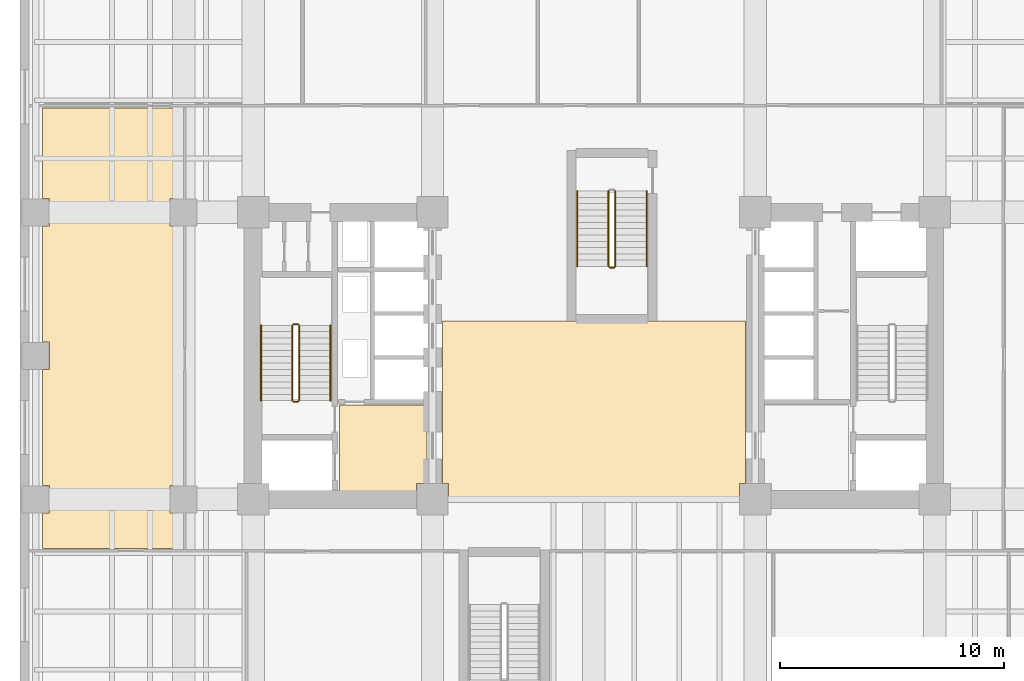
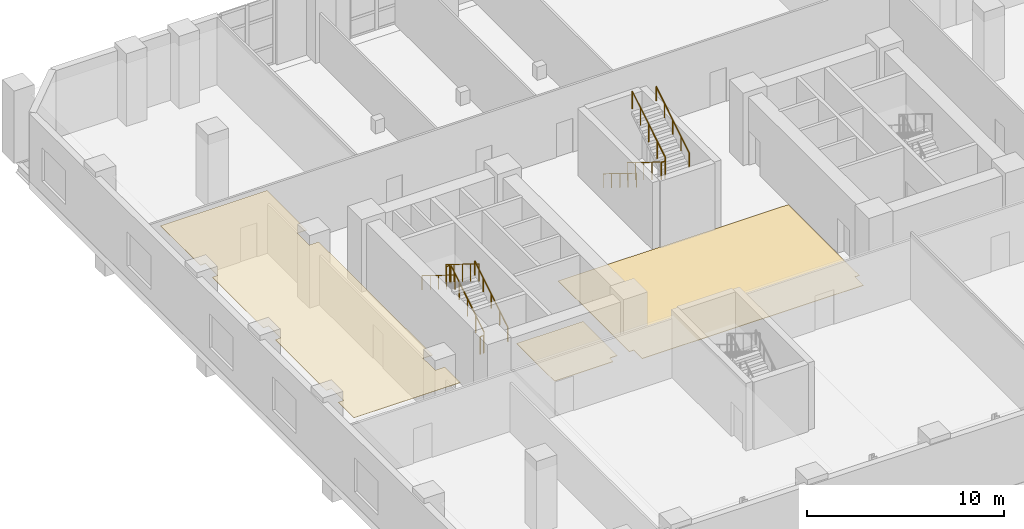
# One storey, part 11 of 15: 11 railings, 3 coverings.
"""IFC4 building model written with IfcOpenShell, lengths in metres."""

from ifc_helpers import new_model, si_unit, direction, frame, origin, origin_2d, place, context, subcontext, project, spatial, polyline, circle, outline, extrude, material, layer, layer_set, type_object, element, save


model = new_model("IFC4")

# Units and contexts
model_context = context("Model", 3, precision=1e-05, world=origin(), true_north=direction((0.0, 1.0)))
body_context = subcontext(model_context, "Body", "Model", "MODEL_VIEW")
ifc_project = project(units=[si_unit("LENGTHUNIT", "METRE"), si_unit("AREAUNIT", "SQUARE_METRE"), si_unit("VOLUMEUNIT", "CUBIC_METRE"), si_unit("PLANEANGLEUNIT", "RADIAN"), si_unit("MASSUNIT", "GRAM", prefix="KILO")], contexts=[model_context])

# Site, building, storey
site_placement = place(None, origin())
site = spatial("IfcSite", under=ifc_project, at=site_placement, CompositionType="ELEMENT")
building_placement = place(site_placement, origin())
building = spatial("IfcBuilding", under=site, at=building_placement, Name="Kranthara Brick Stack", CompositionType="ELEMENT")
storey_placement = place(building_placement, frame((0.0, 0.0, 5.39990234375)))
storey = spatial("IfcBuildingStorey", under=building, at=storey_placement, Name="L01", CompositionType="ELEMENT", Elevation=5.39990234375)

# Coverings
ifc_material_1 = material(Name="Perforated mineral-fibre acoustic ceiling tile", Category="other")
ifc_layer_1 = layer(ifc_material_1, 0.02490234375)
ifc_layer_set_1 = layer_set([ifc_layer_1], Name="Perforated mineral-fibre acoustic ceiling tile")
covering_type_1 = type_object("IfcCoveringType", Name="COV-CEIL-ACOUSTIC", PredefinedType="CEILING", material=ifc_layer_set_1)
covering_1_placement = place(storey_placement, frame((0.0, 0.0, 3.91015625)))
element("IfcCovering", 1, at=covering_1_placement, inside=storey, type_object=covering_type_1, Name="L01 West Perimeter Office Studio Acoustic Ceiling", PredefinedType="CEILING", context=body_context, shape_type="SweptSolid", body=[
    extrude(outline(polyline([(3.39990234375, 20.18994140625), (3.7099609375, 20.18994140625), (3.7099609375, 21.409912109375), (3.39990234375, 21.409912109375), (3.39990234375, 26.590087890625), (3.7099609375, 26.590087890625), (3.7099609375, 27.81005859375), (3.39990234375, 27.81005859375), (3.39990234375, 32.989990234375), (3.7099609375, 32.989990234375), (3.7099609375, 34.2099609375), (3.39990234375, 34.2099609375), (3.39990234375, 38.25), (9.64990234375, 38.25), (9.64990234375, 34.2099609375), (9.090087890625, 34.2099609375), (9.090087890625, 32.989990234375), (9.64990234375, 32.989990234375), (9.64990234375, 21.409912109375), (9.090087890625, 21.409912109375), (9.090087890625, 20.18994140625), (9.64990234375, 20.18994140625), (9.64990234375, 18.60009765625), (3.39990234375, 18.60009765625), (3.39990234375, 20.18994140625)])), origin(), (0.0, 0.0, 1.0), 0.02490234375),
])
ifc_material_2 = material(Name="Honed terrazzo and porcelain floor finish", Category="stone")
ifc_layer_2 = layer(ifc_material_2, 0.030029296875)
ifc_layer_set_2 = layer_set([ifc_layer_2], Name="Honed terrazzo and porcelain floor finish")
covering_type_2 = type_object("IfcCoveringType", Name="COV-FLOR-STONE", PredefinedType="FLOORING", material=ifc_layer_set_2)
covering_2_placement = place(storey_placement, origin())
element("IfcCovering", 2, at=covering_2_placement, inside=storey, type_object=covering_type_2, Name="L01 Lift Lobby Stone Flooring", PredefinedType="FLOORING", context=body_context, shape_type="SweptSolid", body=[
    extrude(outline(polyline([(16.64990234375, 21.14990234375), (16.64990234375, 25.0), (20.550048828125, 25.0), (20.550048828125, 21.510009765625), (20.090087890625, 21.510009765625), (20.090087890625, 21.14990234375), (16.64990234375, 21.14990234375)])), origin(), (0.0, 0.0, 1.0), 0.030029296875),
])
covering_3_placement = place(storey_placement, origin())
element("IfcCovering", 3, at=covering_3_placement, inside=storey, type_object=covering_type_2, Name="L01 Lift Lobby Stone Flooring", PredefinedType="FLOORING", context=body_context, shape_type="SweptSolid", body=[
    extrude(outline(polyline([(34.75, 21.510009765625), (34.489990234375, 21.510009765625), (34.489990234375, 20.64990234375), (21.510009765625, 20.64990234375), (21.510009765625, 21.510009765625), (21.25, 21.510009765625), (21.25, 28.75), (34.75, 28.75), (34.75, 21.510009765625)])), origin(), (0.0, 0.0, 1.0), 0.030029296875),
])

# Railings
ifc_material_3 = material(Name="Painted galvanized steel stair guardrail", Category="steel")
railing_type_1 = type_object("IfcRailingType", Name="RL-STAIR-GUARD-1100", PredefinedType="GUARDRAIL", material=ifc_material_3)
railing_1_placement = place(storey_placement, frame((14.85009765625, 25.199951171875, 0.173095703125)))
element("IfcRailing", 4, at=railing_1_placement, inside=storey, type_object=railing_type_1, Name="L01 ST01 stair guard 1", PredefinedType="GUARDRAIL", context=body_context, shape_type="SweptSolid", body=[
    extrude(circle(Radius=0.02392578125, at=origin_2d()), frame((0.0, 0.0, 1.076171875), z_axis=(0.0, 0.850623216509, 0.525775754039), x_axis=(-1.0, 0.0, 0.0)), (0.0, 0.0, 1.0), 3.9501953125),
    extrude(circle(Radius=0.02099609375, at=origin_2d()), origin(), (0.0, 0.0, 1.0), 1.052001953125),
    extrude(circle(Radius=0.02099609375, at=origin_2d()), frame((0.0, 0.840087890625, 0.519287109375)), (0.0, 0.0, 1.0), 1.052001953125),
    extrude(circle(Radius=0.02099609375, at=origin_2d()), frame((0.0, 1.68017578125, 1.03857421875)), (0.0, 0.0, 1.0), 1.052001953125),
    extrude(circle(Radius=0.02099609375, at=origin_2d()), frame((0.0, 2.52001953125, 1.5576171875)), (0.0, 0.0, 1.0), 1.052001953125),
    extrude(circle(Radius=0.02099609375, at=origin_2d()), frame((0.0, 3.360107421875, 2.076904296875)), (0.0, 0.0, 1.0), 1.052001953125),
])
railing_2_placement = place(storey_placement, frame((14.800048828125, 28.610107421875, 2.25)))
element("IfcRailing", 5, at=railing_2_placement, inside=storey, type_object=railing_type_1, Name="L01 ST01 stair guard 2", PredefinedType="GUARDRAIL", context=body_context, shape_type="SweptSolid", body=[
    extrude(circle(Radius=0.02392578125, at=origin_2d()), frame((0.0, 0.0, 1.076171875), z_axis=(-1.0, 0.0, 0.0), x_axis=(0.0, -1.0, 0.0)), (0.0, 0.0, 1.0), 0.199951171875),
    extrude(circle(Radius=0.02099609375, at=origin_2d()), origin(), (0.0, 0.0, 1.0), 1.052001953125),
    extrude(circle(Radius=0.02099609375, at=origin_2d()), frame((-0.199951171875, 0.0, 0.0)), (0.0, 0.0, 1.0), 1.052001953125),
])
railing_3_placement = place(storey_placement, frame((14.550048828125, 28.56005859375, 2.423095703125)))
element("IfcRailing", 6, at=railing_3_placement, inside=storey, type_object=railing_type_1, Name="L01 ST01 stair guard 3", PredefinedType="GUARDRAIL", context=body_context, shape_type="SweptSolid", body=[
    extrude(circle(Radius=0.02392578125, at=origin_2d()), frame((0.0, 0.0, 1.076171875), z_axis=(0.0, -0.850623216509, 0.525775754039), x_axis=(1.0, 0.0, 0.0)), (0.0, 0.0, 1.0), 3.9501953125),
    extrude(circle(Radius=0.02099609375, at=origin_2d()), origin(), (0.0, 0.0, 1.0), 1.052001953125),
    extrude(circle(Radius=0.02099609375, at=origin_2d()), frame((0.0, -0.840087890625, 0.519287109375)), (0.0, 0.0, 1.0), 1.052001953125),
    extrude(circle(Radius=0.02099609375, at=origin_2d()), frame((0.0, -1.68017578125, 1.03857421875)), (0.0, 0.0, 1.0), 1.052001953125),
    extrude(circle(Radius=0.02099609375, at=origin_2d()), frame((0.0, -2.52001953125, 1.5576171875)), (0.0, 0.0, 1.0), 1.052001953125),
    extrude(circle(Radius=0.02099609375, at=origin_2d()), frame((0.0, -3.360107421875, 2.076904296875)), (0.0, 0.0, 1.0), 1.052001953125),
])
railing_4_placement = place(storey_placement, frame((14.800048828125, 25.14990234375, 0.0)))
element("IfcRailing", 7, at=railing_4_placement, inside=storey, type_object=railing_type_1, Name="L01 ST01 stair guard 4", PredefinedType="GUARDRAIL", context=body_context, shape_type="SweptSolid", body=[
    extrude(circle(Radius=0.02392578125, at=origin_2d()), frame((0.0, 0.0, 1.076171875), z_axis=(-1.0, 0.0, 0.0), x_axis=(0.0, -1.0, 0.0)), (0.0, 0.0, 1.0), 0.199951171875),
    extrude(circle(Radius=0.02099609375, at=origin_2d()), origin(), (0.0, 0.0, 1.0), 1.052001953125),
    extrude(circle(Radius=0.02099609375, at=origin_2d()), frame((-0.199951171875, 0.0, 0.0)), (0.0, 0.0, 1.0), 1.052001953125),
])
railing_5_placement = place(storey_placement, frame((28.64990234375, 34.550048828125, 0.173095703125)))
element("IfcRailing", 8, at=railing_5_placement, inside=storey, type_object=railing_type_1, Name="L01 ST04 stair guard 1", PredefinedType="GUARDRAIL", context=body_context, shape_type="SweptSolid", body=[
    extrude(circle(Radius=0.02392578125, at=origin_2d()), frame((0.0, 0.0, 1.076171875), z_axis=(0.0, -0.850623216509, 0.525775754039), x_axis=(1.0, 0.0, 0.0)), (0.0, 0.0, 1.0), 3.9501953125),
    extrude(circle(Radius=0.02099609375, at=origin_2d()), origin(), (0.0, 0.0, 1.0), 1.052001953125),
    extrude(circle(Radius=0.02099609375, at=origin_2d()), frame((0.0, -0.840087890625, 0.519287109375)), (0.0, 0.0, 1.0), 1.052001953125),
    extrude(circle(Radius=0.02099609375, at=origin_2d()), frame((0.0, -1.68017578125, 1.03857421875)), (0.0, 0.0, 1.0), 1.052001953125),
    extrude(circle(Radius=0.02099609375, at=origin_2d()), frame((0.0, -2.52001953125, 1.5576171875)), (0.0, 0.0, 1.0), 1.052001953125),
    extrude(circle(Radius=0.02099609375, at=origin_2d()), frame((0.0, -3.360107421875, 2.076904296875)), (0.0, 0.0, 1.0), 1.052001953125),
])
railing_6_placement = place(storey_placement, frame((28.699951171875, 31.139892578125, 2.25)))
element("IfcRailing", 9, at=railing_6_placement, inside=storey, type_object=railing_type_1, Name="L01 ST04 stair guard 2", PredefinedType="GUARDRAIL", context=body_context, shape_type="SweptSolid", body=[
    extrude(circle(Radius=0.02392578125, at=origin_2d()), frame((0.0, 0.0, 1.076171875), z_axis=(1.0, 0.0, 0.0), x_axis=(0.0, 1.0, 0.0)), (0.0, 0.0, 1.0), 0.199951171875),
    extrude(circle(Radius=0.02099609375, at=origin_2d()), origin(), (0.0, 0.0, 1.0), 1.052001953125),
    extrude(circle(Radius=0.02099609375, at=origin_2d()), frame((0.199951171875, 0.0, 0.0)), (0.0, 0.0, 1.0), 1.052001953125),
])
railing_7_placement = place(storey_placement, frame((28.949951171875, 31.18994140625, 2.423095703125)))
element("IfcRailing", 10, at=railing_7_placement, inside=storey, type_object=railing_type_1, Name="L01 ST04 stair guard 3", PredefinedType="GUARDRAIL", context=body_context, shape_type="SweptSolid", body=[
    extrude(circle(Radius=0.02392578125, at=origin_2d()), frame((0.0, 0.0, 1.076171875), z_axis=(0.0, 0.850623216509, 0.525775754039), x_axis=(-1.0, 0.0, 0.0)), (0.0, 0.0, 1.0), 3.9501953125),
    extrude(circle(Radius=0.02099609375, at=origin_2d()), origin(), (0.0, 0.0, 1.0), 1.052001953125),
    extrude(circle(Radius=0.02099609375, at=origin_2d()), frame((0.0, 0.840087890625, 0.519287109375)), (0.0, 0.0, 1.0), 1.052001953125),
    extrude(circle(Radius=0.02099609375, at=origin_2d()), frame((0.0, 1.68017578125, 1.03857421875)), (0.0, 0.0, 1.0), 1.052001953125),
    extrude(circle(Radius=0.02099609375, at=origin_2d()), frame((0.0, 2.52001953125, 1.5576171875)), (0.0, 0.0, 1.0), 1.052001953125),
    extrude(circle(Radius=0.02099609375, at=origin_2d()), frame((0.0, 3.360107421875, 2.076904296875)), (0.0, 0.0, 1.0), 1.052001953125),
])
ifc_material_4 = material(Name="Brushed stainless steel tubular handrail", Category="steel")
railing_type_2 = type_object("IfcRailingType", Name="RL-STAIR-HAND-900", PredefinedType="HANDRAIL", material=ifc_material_4)
railing_8_placement = place(storey_placement, frame((16.25, 25.199951171875, 0.173095703125)))
element("IfcRailing", 11, at=railing_8_placement, inside=storey, type_object=railing_type_2, Name="L01 ST01 stair handrail 1", PredefinedType="HANDRAIL", context=body_context, shape_type="SweptSolid", body=[
    extrude(circle(Radius=0.02392578125, at=origin_2d()), frame((0.0, 0.0, 0.8759765625), z_axis=(0.0, 0.850623216509, 0.525775754039), x_axis=(-1.0, 0.0, 0.0)), (0.0, 0.0, 1.0), 3.9501953125),
    extrude(circle(Radius=0.02099609375, at=origin_2d()), origin(), (0.0, 0.0, 1.0), 0.851806640625),
    extrude(circle(Radius=0.02099609375, at=origin_2d()), frame((0.0, 0.840087890625, 0.519287109375)), (0.0, 0.0, 1.0), 0.851806640625),
    extrude(circle(Radius=0.02099609375, at=origin_2d()), frame((0.0, 1.68017578125, 1.03857421875)), (0.0, 0.0, 1.0), 0.851806640625),
    extrude(circle(Radius=0.02099609375, at=origin_2d()), frame((0.0, 2.52001953125, 1.5576171875)), (0.0, 0.0, 1.0), 0.851806640625),
    extrude(circle(Radius=0.02099609375, at=origin_2d()), frame((0.0, 3.360107421875, 2.076904296875)), (0.0, 0.0, 1.0), 0.851806640625),
])
for number, where, name in (
    (12, (13.14990234375, 28.56005859375, 2.423095703125), "L01 ST01 stair handrail 2"),
    (13, (27.25, 34.550048828125, 0.173095703125), "L01 ST04 stair handrail 1"),
):
    element("IfcRailing", number, at=place(storey_placement, frame(where)), inside=storey, type_object=railing_type_2, Name=name, PredefinedType="HANDRAIL", context=body_context, shape_type="SweptSolid", body=[
        extrude(circle(Radius=0.02392578125, at=origin_2d()), frame((0.0, 0.0, 0.8759765625), z_axis=(0.0, -0.850623216509, 0.525775754039), x_axis=(1.0, 0.0, 0.0)), (0.0, 0.0, 1.0), 3.9501953125),
        extrude(circle(Radius=0.02099609375, at=origin_2d()), origin(), (0.0, 0.0, 1.0), 0.851806640625),
        extrude(circle(Radius=0.02099609375, at=origin_2d()), frame((0.0, -0.840087890625, 0.519287109375)), (0.0, 0.0, 1.0), 0.851806640625),
        extrude(circle(Radius=0.02099609375, at=origin_2d()), frame((0.0, -1.68017578125, 1.03857421875)), (0.0, 0.0, 1.0), 0.851806640625),
        extrude(circle(Radius=0.02099609375, at=origin_2d()), frame((0.0, -2.52001953125, 1.5576171875)), (0.0, 0.0, 1.0), 0.851806640625),
        extrude(circle(Radius=0.02099609375, at=origin_2d()), frame((0.0, -3.360107421875, 2.076904296875)), (0.0, 0.0, 1.0), 0.851806640625),
    ])
railing_9_placement = place(storey_placement, frame((30.35009765625, 31.18994140625, 2.423095703125)))
element("IfcRailing", 14, at=railing_9_placement, inside=storey, type_object=railing_type_2, Name="L01 ST04 stair handrail 2", PredefinedType="HANDRAIL", context=body_context, shape_type="SweptSolid", body=[
    extrude(circle(Radius=0.02392578125, at=origin_2d()), frame((0.0, 0.0, 0.8759765625), z_axis=(0.0, 0.850623216509, 0.525775754039), x_axis=(-1.0, 0.0, 0.0)), (0.0, 0.0, 1.0), 3.9501953125),
    extrude(circle(Radius=0.02099609375, at=origin_2d()), origin(), (0.0, 0.0, 1.0), 0.851806640625),
    extrude(circle(Radius=0.02099609375, at=origin_2d()), frame((0.0, 0.840087890625, 0.519287109375)), (0.0, 0.0, 1.0), 0.851806640625),
    extrude(circle(Radius=0.02099609375, at=origin_2d()), frame((0.0, 1.68017578125, 1.03857421875)), (0.0, 0.0, 1.0), 0.851806640625),
    extrude(circle(Radius=0.02099609375, at=origin_2d()), frame((0.0, 2.52001953125, 1.5576171875)), (0.0, 0.0, 1.0), 0.851806640625),
    extrude(circle(Radius=0.02099609375, at=origin_2d()), frame((0.0, 3.360107421875, 2.076904296875)), (0.0, 0.0, 1.0), 0.851806640625),
])

save(model, "model.ifc")
